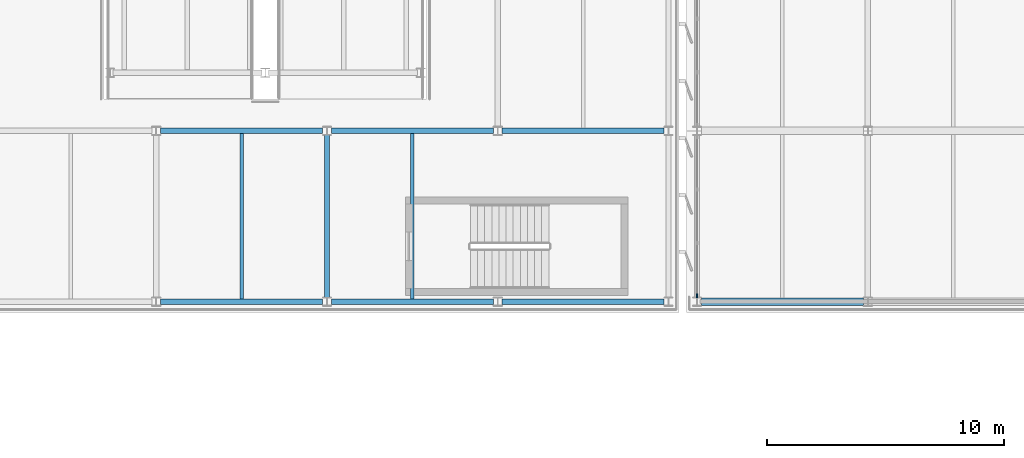
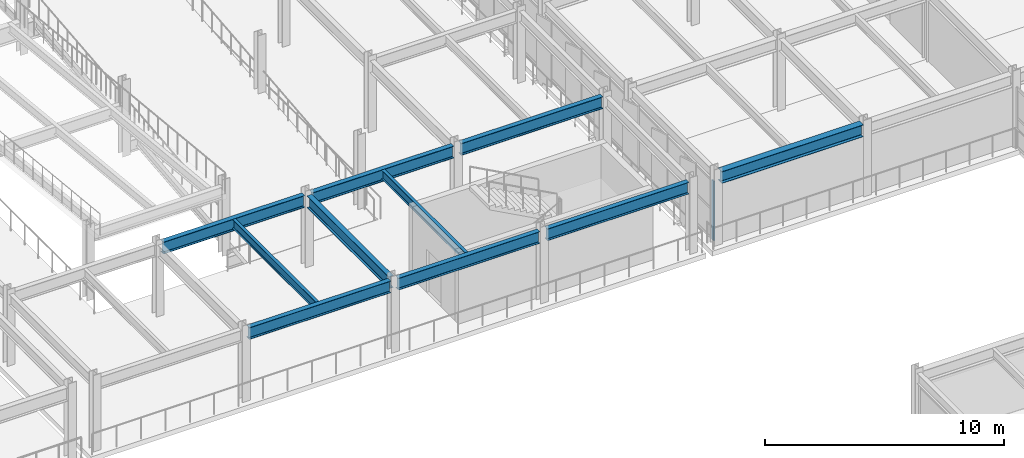
# One storey, part 41 of 93: 10 beams, 1 member, 1 element without a shape of its own.
"""IFC4 building model written with IfcOpenShell, lengths in metres."""

from ifc_helpers import new_model, si_unit, direction, frame, origin, origin_2d, place, context, subcontext, project, spatial, rectangle, i_section, extrude, material, material_profile, profile_set, type_object, element, aggregate, save


model = new_model("IFC4")

# Units and contexts
model_context = context("Model", 3, precision=1e-05, world=origin(), true_north=direction((0.0, 1.0)))
body_context = subcontext(model_context, "Body", "Model", "MODEL_VIEW")
ifc_project = project(units=[si_unit("LENGTHUNIT", "METRE"), si_unit("AREAUNIT", "SQUARE_METRE"), si_unit("VOLUMEUNIT", "CUBIC_METRE"), si_unit("PLANEANGLEUNIT", "RADIAN"), si_unit("MASSUNIT", "GRAM", prefix="KILO")], contexts=[model_context])

# Site, building, storey
site_placement = place(None, origin())
site = spatial("IfcSite", under=ifc_project, at=site_placement, CompositionType="ELEMENT")
building_placement = place(site_placement, origin())
building = spatial("IfcBuilding", under=site, at=building_placement, Name="Vaelcorin Mobility Hub", CompositionType="ELEMENT")
storey_placement = place(building_placement, frame((0.0, 0.0, 5.39990234375)))
storey = spatial("IfcBuildingStorey", under=building, at=storey_placement, Name="L01", CompositionType="ELEMENT", Elevation=5.39990234375)

# Beams
ifc_material_1 = material(Name="Steel ASTM A992 Grade 50", Category="steel")
ifc_material_profile_1 = material_profile(ifc_material_1, i_section(OverallWidth=0.152099609375, OverallDepth=0.455078125, WebThickness=0.008056640625, FlangeThickness=0.01318359375, FilletRadius=0.012939453125, at=origin_2d()), Name="W18X40")
ifc_profile_set_1 = profile_set([ifc_material_profile_1], Name="Steel ASTM A992 Grade 50")
beam_type_1 = type_object("IfcBeamType", Name="BM-W18X40", PredefinedType="JOIST", material=ifc_profile_set_1)
for number, where, z_axis, x_axis, name in (
    (1, (134.39990234375, 76.912109375, 3.423095703125), (0.0, 1.0, 0.0), (-1.0, 0.0, 0.0), "L01 Beam V2E-L01-J-02-01-1"),
    (2, (141.60009765625, 76.912109375, 3.423095703125), (0.0, 1.0, 0.0), (-1.0, 0.0, 0.0), "L01 Beam V2E-L01-J-03-01-1"),
):
    element("IfcBeam", number, at=place(storey_placement, frame(where, z_axis=z_axis, x_axis=x_axis)), inside=storey, type_object=beam_type_1, Name=name, PredefinedType="JOIST", context=body_context, shape_type="SweptSolid", body=[
        extrude(i_section(OverallWidth=0.152099609375, OverallDepth=0.455078125, WebThickness=0.008056640625, FlangeThickness=0.01318359375, FilletRadius=0.012939453125, at=origin_2d()), origin(), (0.0, 0.0, 1.0), 6.975830078125),
    ])
ifc_material_profile_2 = material_profile(ifc_material_1, i_section(OverallWidth=0.324951171875, OverallDepth=0.612060546875, WebThickness=0.0126953125, FlangeThickness=0.01904296875, FilletRadius=0.014892578125, at=origin_2d()), Name="W24X104")
ifc_profile_set_2 = profile_set([ifc_material_profile_2], Name="Steel ASTM A992 Grade 50")
beam_type_2 = type_object("IfcBeamType", Name="BM-W24X104", PredefinedType="BEAM", material=ifc_profile_set_2)
beam_1_placement = place(storey_placement, frame((153.783935546875, 76.800048828125, 3.364013671875), z_axis=(1.0, 0.0, 0.0), x_axis=(0.0, 1.0, 0.0)))
element("IfcBeam", 3, at=beam_1_placement, inside=storey, type_object=beam_type_2, Name="L01 Beam V5-L01-GX-09-01", PredefinedType="BEAM", context=body_context, shape_type="SweptSolid", body=[
    extrude(i_section(OverallWidth=0.324951171875, OverallDepth=0.612060546875, WebThickness=0.0126953125, FlangeThickness=0.01904296875, FilletRadius=0.014892578125, at=origin_2d()), origin(), (0.0, 0.0, 1.0), 6.8310546875),
])
ifc_material_profile_3 = material_profile(ifc_material_1, i_section(OverallWidth=0.22802734375, OverallDepth=0.60205078125, WebThickness=0.010498046875, FlangeThickness=0.014892578125, FilletRadius=0.014892578125, at=origin_2d()), Name="W24X68")
ifc_profile_set_3 = profile_set([ifc_material_profile_3], Name="Steel ASTM A992 Grade 50")
beam_type_3 = type_object("IfcBeamType", Name="BM-W24X68", PredefinedType="SPANDREL", material=ifc_profile_set_3)
for number, where, z_axis, x_axis, name in (
    (4, (130.985107421875, 76.800048828125, 3.34912109375), (1.0, 0.0, 0.0), (0.0, 1.0, 0.0), "L01 Beam V2E-L01-GX-01-02"),
    (5, (138.18408203125, 76.800048828125, 3.34912109375), (1.0, 0.0, 0.0), (0.0, 1.0, 0.0), "L01 Beam V2E-L01-GX-01-03"),
):
    element("IfcBeam", number, at=place(storey_placement, frame(where, z_axis=z_axis, x_axis=x_axis)), inside=storey, type_object=beam_type_3, Name=name, PredefinedType="SPANDREL", context=body_context, shape_type="SweptSolid", body=[
        extrude(i_section(OverallWidth=0.22802734375, OverallDepth=0.60205078125, WebThickness=0.010498046875, FlangeThickness=0.014892578125, FilletRadius=0.014892578125, at=origin_2d()), origin(), (0.0, 0.0, 1.0), 6.830810546875),
    ])
beam_2_placement = place(storey_placement, frame((145.384033203125, 76.800048828125, 3.34912109375), z_axis=(1.0, 0.0, 0.0), x_axis=(0.0, 1.0, 0.0)))
element("IfcBeam", 6, at=beam_2_placement, inside=storey, type_object=beam_type_3, Name="L01 Beam V2E-L01-GX-01-04", PredefinedType="SPANDREL", context=body_context, shape_type="SweptSolid", body=[
    extrude(i_section(OverallWidth=0.22802734375, OverallDepth=0.60205078125, WebThickness=0.010498046875, FlangeThickness=0.014892578125, FilletRadius=0.014892578125, at=origin_2d()), origin(), (0.0, 0.0, 1.0), 6.83203125),
])
ifc_material_profile_4 = material_profile(ifc_material_1, i_section(OverallWidth=0.22900390625, OverallDepth=0.612060546875, WebThickness=0.011962890625, FlangeThickness=0.01953125, FilletRadius=0.014892578125, at=origin_2d()), Name="W24X84")
ifc_profile_set_4 = profile_set([ifc_material_profile_4], Name="Steel ASTM A992 Grade 50")
beam_type_4 = type_object("IfcBeamType", Name="BM-W24X84", PredefinedType="BEAM", material=ifc_profile_set_4)
for number, where, z_axis, x_axis, name in (
    (7, (130.985107421875, 84.0, 3.343994140625), (1.0, 0.0, 0.0), (0.0, 1.0, 0.0), "L01 Beam V2E-L01-GX-02-02"),
    (8, (138.18408203125, 84.0, 3.343994140625), (1.0, 0.0, 0.0), (0.0, 1.0, 0.0), "L01 Beam V2E-L01-GX-02-03"),
):
    element("IfcBeam", number, at=place(storey_placement, frame(where, z_axis=z_axis, x_axis=x_axis)), inside=storey, type_object=beam_type_4, Name=name, PredefinedType="BEAM", context=body_context, shape_type="SweptSolid", body=[
        extrude(i_section(OverallWidth=0.22900390625, OverallDepth=0.612060546875, WebThickness=0.011962890625, FlangeThickness=0.01953125, FilletRadius=0.014892578125, at=origin_2d()), origin(), (0.0, 0.0, 1.0), 6.830810546875),
    ])
for number, where, z_axis, x_axis, name in (
    (9, (145.384033203125, 84.0, 3.343994140625), (1.0, 0.0, 0.0), (0.0, 1.0, 0.0), "L01 Beam V2E-L01-GX-02-04"),
    (10, (138.0, 76.98388671875, 3.343994140625), (0.0, 1.0, 0.0), (-1.0, 0.0, 0.0), "L01 Beam V2E-L01-GY-03-01"),
):
    element("IfcBeam", number, at=place(storey_placement, frame(where, z_axis=z_axis, x_axis=x_axis)), inside=storey, type_object=beam_type_4, Name=name, PredefinedType="BEAM", context=body_context, shape_type="SweptSolid", body=[
        extrude(i_section(OverallWidth=0.22900390625, OverallDepth=0.612060546875, WebThickness=0.011962890625, FlangeThickness=0.01953125, FilletRadius=0.014892578125, at=origin_2d()), origin(), (0.0, 0.0, 1.0), 6.83203125),
    ])

# Curtain wall, member
ifc_material_2 = material(Name="Anodised aluminium 6063-T6", Category="aluminium")
curtain_wall_type = type_object("IfcCurtainWallType", Name="CW-MOB-A", PredefinedType="NOTDEFINED", material=ifc_material_2)
curtain_wall_placement = place(storey_placement, origin())
curtain_wall = element("IfcCurtainWall", 11, at=curtain_wall_placement, inside=storey, type_object=curtain_wall_type, Name="L01 Curtain Wall CW-V5-L01-WN-01", PredefinedType="NOTDEFINED")
ifc_material_profile_5 = material_profile(ifc_material_2, rectangle(XDim=0.06005859375, YDim=0.159912109375, at=origin_2d()), Name="ALU-M60X160")
ifc_profile_set_5 = profile_set([ifc_material_profile_5], Name="Anodised aluminium 6063-T6")
member_type = type_object("IfcMemberType", Name="CW-MULL-160", PredefinedType="MULLION", material=ifc_profile_set_5)
member_placement = place(storey_placement, frame((153.60009765625, 77.050048828125, 0.0), z_axis=(0.0, 0.0, 1.0), x_axis=(-1.0, 0.0, 0.0)))
member = element("IfcMember", 12, at=member_placement, type_object=member_type, Name="CW7 mullion 1", PredefinedType="MULLION", context=body_context, shape_type="SweptSolid", body=[
    extrude(rectangle(XDim=0.06005859375, YDim=0.159912109375, at=origin_2d()), origin(), (0.0, 0.0, 1.0), 3.043212890625),
])
aggregate(curtain_wall, [member])

save(model, "model.ifc")
